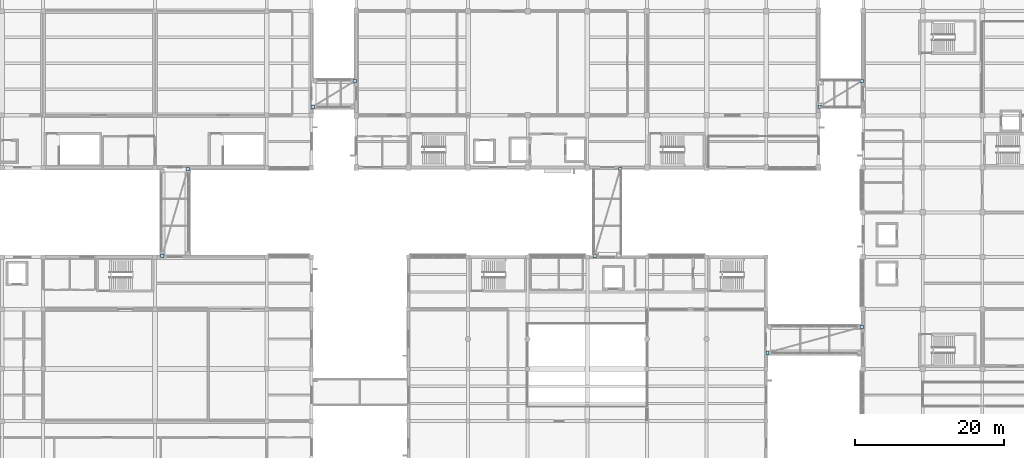
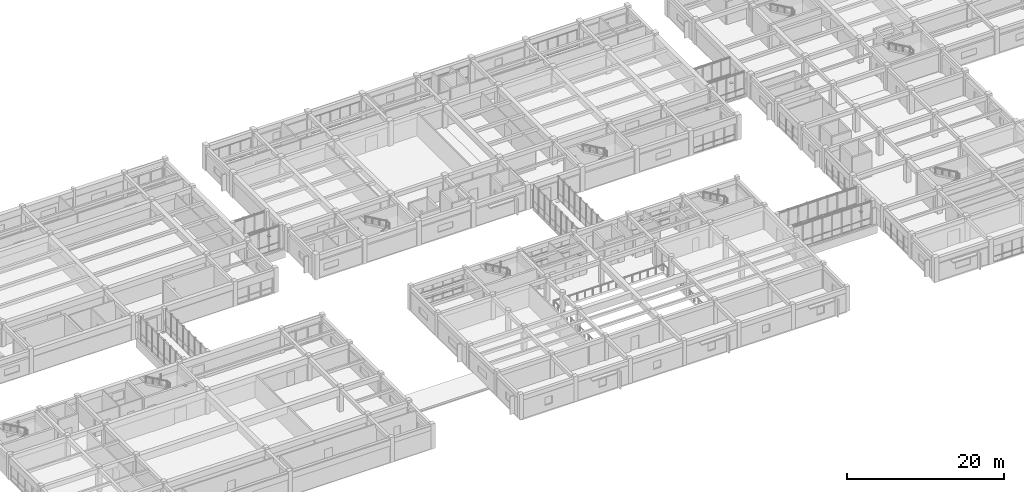
# One storey, part 43 of 66: 10 plates.
"""IFC4 building model written with IfcOpenShell, lengths in metres."""

import ifcopenshell
import ifcopenshell.guid

model = None  # the IFC model being written
_history = None  # IfcOwnerHistory: only IFC2X3 demands one
_inside = {}  # id of a spatial element -> (the spatial element, [elements in it])
_under = {}  # id of a project, library or spatial element -> (it, [spatial elements below it])
_declared = {}  # id of a project -> (the project, [libraries it declares])
_typed = {}  # id of a type object -> (the type object, [elements of that type])
_made_of = {}  # id of a material, layer set ... -> (it, [elements and type objects made of it])


def new_model(schema):
    """Start an empty IFC model of exactly this schema.

    Asked for "IFC4X3", IfcOpenShell would pick the latest addendum, in which some entities
    have other attributes; the version numbers below select the first issue.
    IFC2X3 requires an IfcOwnerHistory on every rooted entity: one is made here for all.
    """
    global model, _history
    if schema == "IFC4X3":
        model = ifcopenshell.file(schema_version=(4, 3, 0, 0))
    else:
        model = ifcopenshell.file(schema=schema)
    _inside.clear()
    _under.clear()
    _declared.clear()
    _typed.clear()
    _made_of.clear()
    _history = None
    if model.schema == "IFC2X3":
        org = make("IfcOrganization", Name="unknown")
        user = make(
            "IfcPersonAndOrganization",
            ThePerson=make("IfcPerson", FamilyName="unknown"),
            TheOrganization=org,
        )
        app = make(
            "IfcApplication",
            ApplicationDeveloper=org,
            Version="unknown",
            ApplicationFullName="unknown",
            ApplicationIdentifier="unknown",
        )
        _history = make(
            "IfcOwnerHistory",
            OwningUser=user,
            OwningApplication=app,
            ChangeAction="ADDED",
            CreationDate=0,
        )
    return model


def make(cls, **values):
    """One entity of the class cls with the attributes given. An attribute that is None is left unset."""
    return model.create_entity(
        cls, **{name: value for name, value in values.items() if value is not None}
    )


def rooted(cls, **values):
    """An entity with a GlobalId (a new one), such as an element, a storey or a relation."""
    return make(cls, GlobalId=ifcopenshell.guid.new(), OwnerHistory=_history, **values)


def si_unit(unit_type, name, prefix=None):
    """IfcSIUnit, for example si_unit("LENGTHUNIT", "METRE", prefix="MILLI")."""
    return make("IfcSIUnit", UnitType=unit_type, Prefix=prefix, Name=name)


def assignment(units):
    """IfcUnitAssignment: the units of a project."""
    return None if units is None else make("IfcUnitAssignment", Units=units)


def point(xyz):
    """IfcCartesianPoint."""
    return None if xyz is None else make("IfcCartesianPoint", Coordinates=xyz)


def direction(xyz):
    """IfcDirection."""
    return None if xyz is None else make("IfcDirection", DirectionRatios=xyz)


def frame(location, z_axis=None, x_axis=None):
    """IfcAxis2Placement3D, a coordinate frame: its origin and axes. An axis left out is left unset."""
    return make(
        "IfcAxis2Placement3D",
        Location=point(location),
        Axis=direction(z_axis),
        RefDirection=direction(x_axis),
    )


def frame_2d(location, x_axis=None):
    """IfcAxis2Placement2D, a coordinate frame in the plane: its origin and x axis."""
    return make(
        "IfcAxis2Placement2D", Location=point(location), RefDirection=direction(x_axis)
    )


def origin():
    """The frame at (0, 0, 0) with its axes left unset."""
    return frame((0.0, 0.0, 0.0))


def origin_2d():
    """The frame at (0, 0) in the plane with its x axis left unset."""
    return frame_2d((0.0, 0.0))


def place(relative_to, where):
    """IfcLocalPlacement: puts the frame where relative to a parent placement (None: the world)."""
    return make(
        "IfcLocalPlacement", PlacementRelTo=relative_to, RelativePlacement=where
    )


def context(
    kind, dimensions, precision=None, world=None, true_north=None, identifier=None
):
    """IfcGeometricRepresentationContext, for example the 3D "Model" context."""
    return make(
        "IfcGeometricRepresentationContext",
        ContextIdentifier=identifier,
        ContextType=kind,
        CoordinateSpaceDimension=dimensions,
        Precision=precision,
        WorldCoordinateSystem=world,
        TrueNorth=true_north,
    )


def subcontext(parent, identifier, kind, view, scale=None):
    """IfcGeometricRepresentationSubContext, for example "Body" below "Model"."""
    return make(
        "IfcGeometricRepresentationSubContext",
        ContextIdentifier=identifier,
        ContextType=kind,
        ParentContext=parent,
        TargetScale=scale,
        TargetView=view,
    )


def project(units=None, contexts=None):
    """IfcProject with its units and contexts."""
    return rooted(
        "IfcProject",
        Name="project",
        RepresentationContexts=contexts,
        UnitsInContext=assignment(units),
    )


def spatial(cls, under=None, at=None, **own):
    """A site, building, storey or space (cls), placed at a placement, below another one or the project."""
    s = rooted(cls, ObjectPlacement=at, **own)
    if under is not None:
        _under.setdefault(under.id(), (under, []))[1].append(s)
    return s


def profile(cls, at=None, kind="AREA", **sizes):
    """A parametric profile (cls). Its sizes go by their IFC names, for example OverallWidth=200.0."""
    return make(cls, ProfileType=kind, Position=at, **sizes)


def rectangle(**sizes):
    """IfcRectangleProfileDef."""
    return profile("IfcRectangleProfileDef", **sizes)


def extrude(swept, where, along, depth):
    """IfcExtrudedAreaSolid: the profile swept, set in the frame where, extruded along a direction by depth."""
    return make(
        "IfcExtrudedAreaSolid",
        SweptArea=swept,
        Position=where,
        ExtrudedDirection=direction(along),
        Depth=depth,
    )


def shape(context_of_items, identifier, shape_type, items):
    """IfcShapeRepresentation: the items that make up one representation, for example the "Body"."""
    return make(
        "IfcShapeRepresentation",
        ContextOfItems=context_of_items,
        RepresentationIdentifier=identifier,
        RepresentationType=shape_type,
        Items=items,
    )


def material(Name=None, Category=None):
    """IfcMaterial."""
    return make("IfcMaterial", Name=Name, Category=Category)


def layer(
    of_material, thickness, ventilated=None, Name=None, Category=None, Priority=None
):
    """IfcMaterialLayer: one layer of a wall or slab, of a material (None: an air gap)."""
    return make(
        "IfcMaterialLayer",
        Material=of_material,
        LayerThickness=thickness,
        IsVentilated=ventilated,
        Name=Name,
        Category=Category,
        Priority=Priority,
    )


def layer_set(layers, Name=None):
    """IfcMaterialLayerSet."""
    return make("IfcMaterialLayerSet", MaterialLayers=layers, LayerSetName=Name)


def made_of(thing, what):
    """Note that an element or type object is made of a material, layer set ...; save() writes the relation."""
    if what is not None:
        _made_of.setdefault(what.id(), (what, []))[1].append(thing)
    return thing


def type_object(cls, material=None, **own):
    """A type object (cls), such as IfcWallType, which elements share."""
    return made_of(rooted(cls, **own), material)


def element(
    cls,
    number,
    at=None,
    inside=None,
    cuts=None,
    type_object=None,
    material=None,
    context=None,
    identifier="Body",
    shape_type=None,
    held_by="IfcProductDefinitionShape",
    body=None,
    shapes=None,
    **own,
):
    """One element of the class cls, such as IfcWall. Its Tag is "e" and its number.

    at: its placement. inside: the storey or other place that contains it. cuts: it is an
    opening in that element (IfcRelVoidsElement). A single representation is given by context,
    identifier, shape_type and body (its items); several are given by shapes. held_by: the class
    of the entity that holds the representations. save() writes the other relations.
    """
    e = rooted(cls, Tag="e%d" % number, ObjectPlacement=at, **own)
    if body is not None:
        shapes = [shape(context, identifier, shape_type, body)]
    if shapes is not None:
        e.Representation = make(held_by, Representations=shapes)
    if inside is not None:
        _inside.setdefault(inside.id(), (inside, []))[1].append(e)
    if cuts is not None:
        rooted(
            "IfcRelVoidsElement", RelatingBuildingElement=cuts, RelatedOpeningElement=e
        )
    if type_object is not None:
        _typed.setdefault(type_object.id(), (type_object, []))[1].append(e)
    return made_of(e, material)


def aggregate(whole, parts):
    """IfcRelAggregates: a whole, such as a stair, and the parts it consists of."""
    return rooted("IfcRelAggregates", RelatingObject=whole, RelatedObjects=parts)


def save(model, path):
    """Write the relations noted so far, then the file.

    IfcRelAggregates (storeys below a building ...), IfcRelContainedInSpatialStructure (elements
    in a storey), IfcRelDefinesByType, IfcRelAssociatesMaterial and IfcRelDeclares: one each for
    every whole, place, type object, material and project.
    """
    for whole, parts in _under.values():
        aggregate(whole, parts)
    for where, things in _inside.values():
        rooted(
            "IfcRelContainedInSpatialStructure",
            RelatedElements=things,
            RelatingStructure=where,
        )
    for kind, things in _typed.values():
        rooted("IfcRelDefinesByType", RelatedObjects=things, RelatingType=kind)
    for what, things in _made_of.values():
        rooted("IfcRelAssociatesMaterial", RelatedObjects=things, RelatingMaterial=what)
    for by, libraries in _declared.values():
        rooted("IfcRelDeclares", RelatingContext=by, RelatedDefinitions=libraries)
    model.write(path)


model = new_model("IFC4")

# Units and contexts
model_context = context("Model", 3, precision=1e-05, world=origin(), true_north=direction((0.0, 1.0)))
body_context = subcontext(model_context, "Body", "Model", "MODEL_VIEW")
ifc_project = project(units=[si_unit("LENGTHUNIT", "METRE"), si_unit("AREAUNIT", "SQUARE_METRE"), si_unit("VOLUMEUNIT", "CUBIC_METRE"), si_unit("PLANEANGLEUNIT", "RADIAN"), si_unit("MASSUNIT", "GRAM", prefix="KILO")], contexts=[model_context])

# Site, building, storey
site_placement = place(None, origin())
site = spatial("IfcSite", under=ifc_project, at=site_placement, CompositionType="ELEMENT")
building_placement = place(site_placement, origin())
building = spatial("IfcBuilding", under=site, at=building_placement, Name="Naurynzar Civic Courthouse", CompositionType="ELEMENT")
storey_placement = place(building_placement, frame((0.0, 0.0, 14.39990234375)))
storey = spatial("IfcBuildingStorey", under=building, at=storey_placement, Name="L04", CompositionType="ELEMENT", Elevation=14.39990234375)

# Plates
ifc_material = material(Name="Steel S355", Category="steel")
ifc_layer = layer(ifc_material, 0.02001953125)
ifc_layer_set = layer_set([ifc_layer], Name="PLT-GUSSET-450x450x20")
plate_type = type_object("IfcPlateType", Name="PLT-GUSSET-450x450x20", PredefinedType="USERDEFINED", material=ifc_layer_set)
for number, where, z_axis, x_axis, name in (
    (1, (35.97998046875, 32.179931640625, -0.414794921875), (0.0, 0.0, 1.0), (1.0, 0.0, 0.0), "BR-W1 wind brace gusset plate L04.1"),
    (2, (39.419921875, 43.820068359375, -0.414794921875), (0.0, 0.0, 1.0), (1.0, 0.0, 0.0), "BR-W1 wind brace gusset plate L04.2"),
    (3, (56.179931640625, 52.179931640625, -0.414794921875), (0.0, 0.0, 1.0), (1.0, 0.0, 0.0), "BR-N1 wind brace gusset plate L04.1"),
    (4, (61.820068359375, 55.6201171875, -0.414794921875), (0.0, 0.0, 1.0), (1.0, 0.0, 0.0), "BR-N1 wind brace gusset plate L04.2"),
    (5, (93.97998046875, 32.179931640625, -0.414794921875), (0.0, 0.0, 1.0), (1.0, 0.0, 0.0), "BR-C1 wind brace gusset plate L04.1"),
    (6, (97.419921875, 43.820068359375, -0.414794921875), (0.0, 0.0, 1.0), (1.0, 0.0, 0.0), "BR-C1 wind brace gusset plate L04.2"),
    (7, (124.179931640625, 52.179931640625, -0.414794921875), (0.0, 0.0, 1.0), (1.0, 0.0, 0.0), "BR-E1 wind brace gusset plate L04.1"),
    (8, (129.820068359375, 55.6201171875, -0.414794921875), (0.0, 0.0, 1.0), (1.0, 0.0, 0.0), "BR-E1 wind brace gusset plate L04.2"),
    (9, (117.179931640625, 19.179931640625, -0.414794921875), (0.0, 0.0, 1.0), (1.0, 0.0, 0.0), "BR-E2 wind brace gusset plate L04.1"),
    (10, (129.820068359375, 22.6201171875, -0.414794921875), (0.0, 0.0, 1.0), (1.0, 0.0, 0.0), "BR-E2 wind brace gusset plate L04.2"),
):
    element("IfcPlate", number, at=place(storey_placement, frame(where, z_axis=z_axis, x_axis=x_axis)), inside=storey, type_object=plate_type, Name=name, ObjectType="GUSSET PLATE", PredefinedType="USERDEFINED", context=body_context, shape_type="SweptSolid", body=[
        extrude(rectangle(XDim=0.449951171875, YDim=0.449951171875, at=origin_2d()), origin(), (0.0, 0.0, 1.0), 0.02001953125),
    ])

save(model, "model.ifc")
